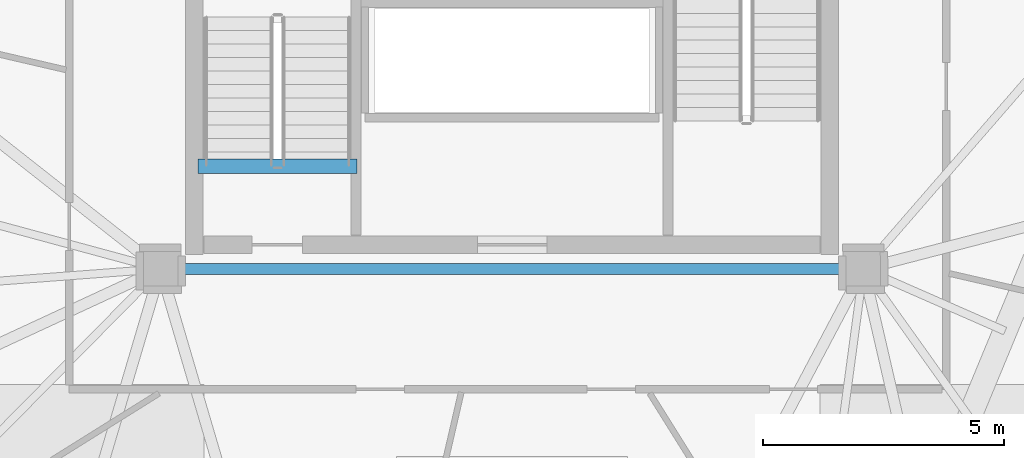
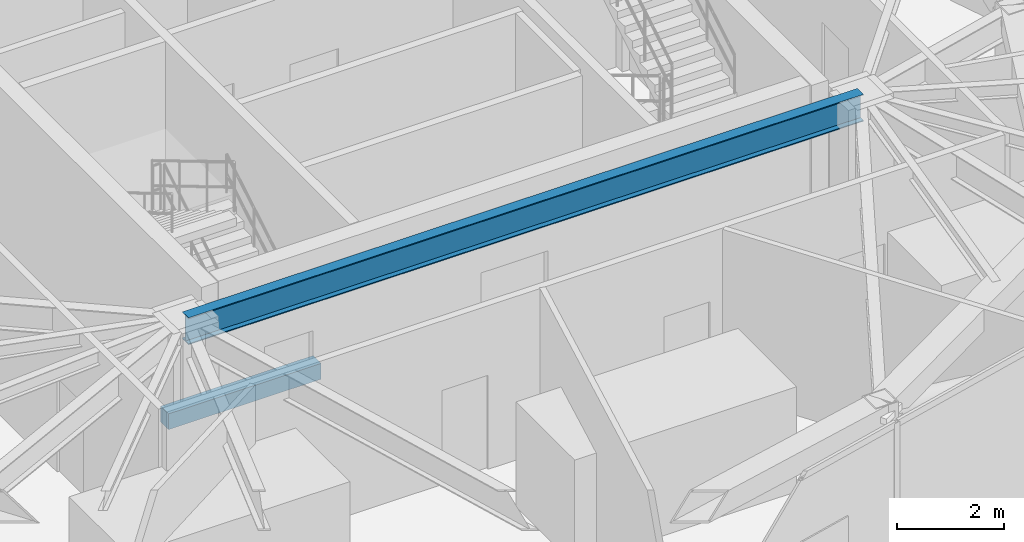
# One storey, part 6 of 21: 2 beams.
"""IFC4 building model written with IfcOpenShell, lengths in metres."""

from ifc_helpers import new_model, si_unit, direction, frame, origin, origin_2d, place, context, subcontext, project, spatial, rectangle, i_section, extrude, material, material_profile, profile_set, type_object, element, save


model = new_model("IFC4")

# Units and contexts
model_context = context("Model", 3, precision=1e-05, world=origin(), true_north=direction((0.0, 1.0)))
body_context = subcontext(model_context, "Body", "Model", "MODEL_VIEW")
ifc_project = project(units=[si_unit("LENGTHUNIT", "METRE"), si_unit("AREAUNIT", "SQUARE_METRE"), si_unit("VOLUMEUNIT", "CUBIC_METRE"), si_unit("PLANEANGLEUNIT", "RADIAN"), si_unit("MASSUNIT", "GRAM", prefix="KILO")], contexts=[model_context])

# Site, building, storey
site_placement = place(None, origin())
site = spatial("IfcSite", under=ifc_project, at=site_placement, CompositionType="ELEMENT")
building_placement = place(site_placement, origin())
building = spatial("IfcBuilding", under=site, at=building_placement, Name="Talar Marvaseh", CompositionType="ELEMENT")
storey_placement = place(building_placement, frame((0.0, 0.0, 300.0)))
storey = spatial("IfcBuildingStorey", under=building, at=storey_placement, Name="L80", CompositionType="ELEMENT", Elevation=300.0)

# Beams
ifc_material_1 = material(Name="Concrete C40/50", Category="concrete")
ifc_material_profile_1 = material_profile(ifc_material_1, rectangle(XDim=0.300048828125, YDim=0.360107421875, at=origin_2d()), Name="RC300x360")
ifc_profile_set_1 = profile_set([ifc_material_profile_1], Name="Concrete C40/50")
beam_type_1 = type_object("IfcBeamType", Name="Concrete Stair Landing Trimmer Beam RC300x360", PredefinedType="SPANDREL", material=ifc_profile_set_1)
beam_1_placement = place(storey_placement, frame((22.780029296875, 27.6298828125, -0.179931640625), z_axis=(-1.0, 0.0, 0.0), x_axis=(0.0, -1.0, 0.0)))
element("IfcBeam", 1, at=beam_1_placement, inside=storey, type_object=beam_type_1, Name="L80 ST-1 Stair Nosing Trimmer Beam", PredefinedType="SPANDREL", context=body_context, shape_type="SweptSolid", body=[
    extrude(rectangle(XDim=0.300048828125, YDim=0.360107421875, at=origin_2d()), origin(), (0.0, 0.0, 1.0), 3.300048828125),
])
ifc_material_2 = material(Name="Steel S355", Category="steel")
ifc_material_profile_2 = material_profile(ifc_material_2, i_section(OverallWidth=0.22998046875, OverallDepth=0.616943359375, WebThickness=0.01318359375, FlangeThickness=0.022216796875, at=origin_2d()), Name="W610x140")
ifc_profile_set_2 = profile_set([ifc_material_profile_2], Name="Steel S355")
beam_type_2 = type_object("IfcBeamType", Name="Zone 4 Radial Floor Girder W610x140", PredefinedType="BEAM", material=ifc_profile_set_2)
beam_2_placement = place(storey_placement, frame((18.699951171875, 25.5, 3.431396484375), z_axis=(1.0, 0.0, 0.0), x_axis=(0.0, 1.0, 0.0)))
element("IfcBeam", 2, at=beam_2_placement, inside=storey, type_object=beam_type_2, Name="L80 Zone 4 Radial Floor Girder W610x140", PredefinedType="BEAM", context=body_context, shape_type="SweptSolid", body=[
    extrude(i_section(OverallWidth=0.22998046875, OverallDepth=0.616943359375, WebThickness=0.01318359375, FlangeThickness=0.022216796875, at=origin_2d()), origin(), (0.0, 0.0, 1.0), 14.60009765625),
])

save(model, "model.ifc")
